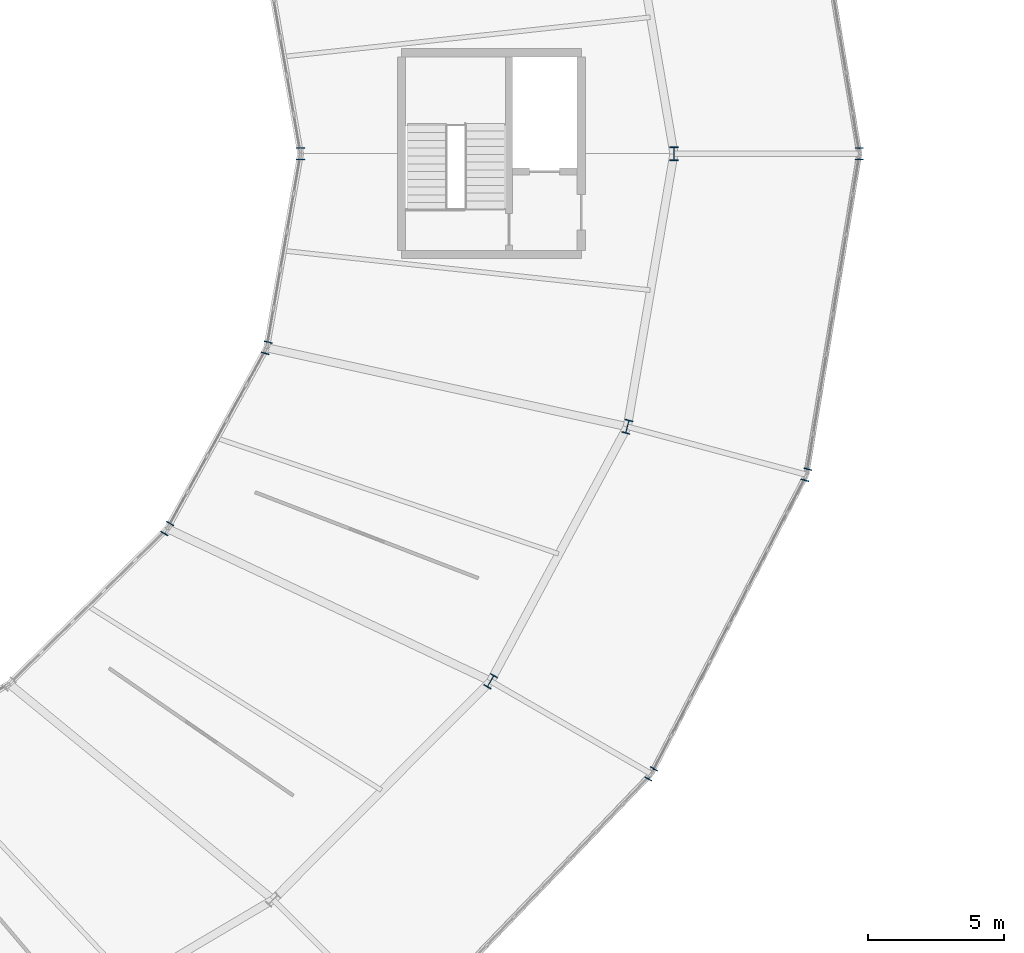
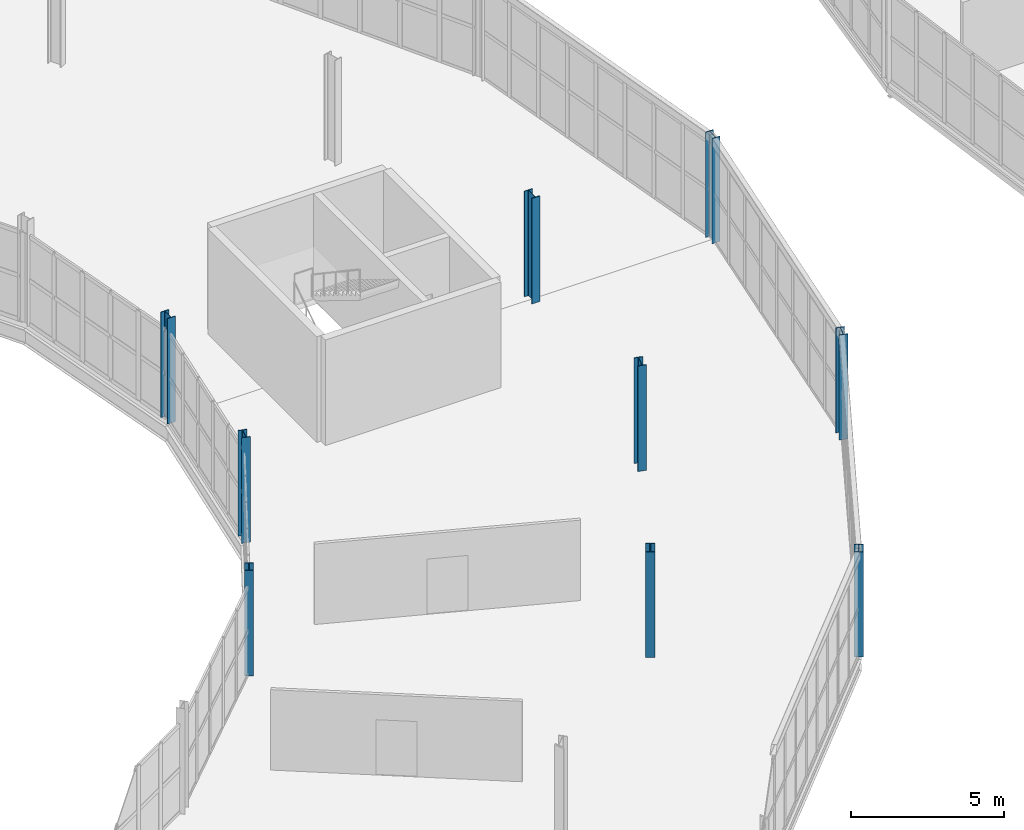
# One storey, part 23 of 161: 9 columns.
"""IFC4 building model written with IfcOpenShell, lengths in metres."""

from ifc_helpers import new_model, si_unit, direction, frame, origin, origin_2d, place, context, subcontext, project, spatial, i_section, extrude, material, material_profile, profile_set, type_object, element, save


model = new_model("IFC4")

# Units and contexts
model_context = context("Model", 3, precision=1e-05, world=origin(), true_north=direction((0.0, 1.0)))
body_context = subcontext(model_context, "Body", "Model", "MODEL_VIEW")
ifc_project = project(units=[si_unit("LENGTHUNIT", "METRE"), si_unit("AREAUNIT", "SQUARE_METRE"), si_unit("VOLUMEUNIT", "CUBIC_METRE"), si_unit("PLANEANGLEUNIT", "RADIAN"), si_unit("MASSUNIT", "GRAM", prefix="KILO")], contexts=[model_context])

# Site, building, storey
site_placement = place(None, origin())
site = spatial("IfcSite", under=ifc_project, at=site_placement, CompositionType="ELEMENT")
building_placement = place(site_placement, origin())
building = spatial("IfcBuilding", under=site, at=building_placement, Name="Kildeholm Park Wholesale Market", CompositionType="ELEMENT")
storey_placement = place(building_placement, frame((0.0, 0.0, 5.39990234375)))
storey = spatial("IfcBuildingStorey", under=building, at=storey_placement, Name="L01", CompositionType="ELEMENT", Elevation=5.39990234375)

# Columns
ifc_material = material(Name="Steel S355", Category="steel")
ifc_material_profile_1 = material_profile(ifc_material, i_section(OverallWidth=0.300048828125, OverallDepth=0.449951171875, WebThickness=0.013916015625, FlangeThickness=0.02587890625, FilletRadius=0.027099609375, at=origin_2d()), Name="HEB 450")
ifc_profile_set_1 = profile_set([ifc_material_profile_1], Name="Steel S355")
column_type_1 = type_object("IfcColumnType", Name="Column C-S06 HEB 450", PredefinedType="COLUMN", material=ifc_profile_set_1)
column_1_placement = place(storey_placement, frame((135.5, 89.5, 0.0), z_axis=(0.0, 0.0, 1.0), x_axis=(1.0, 0.0, 0.0)))
element("IfcColumn", 1, at=column_1_placement, inside=storey, type_object=column_type_1, Name="Column V1-IN-00 L01 COL-0002", PredefinedType="COLUMN", context=body_context, shape_type="SweptSolid", body=[
    extrude(i_section(OverallWidth=0.300048828125, OverallDepth=0.449951171875, WebThickness=0.013916015625, FlangeThickness=0.02587890625, FilletRadius=0.027099609375, at=origin_2d()), origin(), (0.0, 0.0, 1.0), 4.2001953125),
])
column_2_placement = place(storey_placement, frame((156.0, 89.5, 0.0), z_axis=(0.0, 0.0, 1.0), x_axis=(1.0, 0.0, 0.0)))
element("IfcColumn", 2, at=column_2_placement, inside=storey, type_object=column_type_1, Name="Column V1-OT-00 L01 COL-0008", PredefinedType="COLUMN", context=body_context, shape_type="SweptSolid", body=[
    extrude(i_section(OverallWidth=0.300048828125, OverallDepth=0.449951171875, WebThickness=0.013916015625, FlangeThickness=0.02587890625, FilletRadius=0.027099609375, at=origin_2d()), origin(), (0.0, 0.0, 1.0), 4.18017578125),
])
column_3_placement = place(storey_placement, frame((130.610107421875, 75.75, 0.0), z_axis=(0.0, 0.0, 1.0), x_axis=(0.866025403784, -0.5, 0.0)))
element("IfcColumn", 3, at=column_3_placement, inside=storey, type_object=column_type_1, Name="Column V1-IN-22 L01 COL-0200", PredefinedType="COLUMN", context=body_context, shape_type="SweptSolid", body=[
    extrude(i_section(OverallWidth=0.300048828125, OverallDepth=0.449951171875, WebThickness=0.013916015625, FlangeThickness=0.02587890625, FilletRadius=0.027099609375, at=origin_2d()), origin(), (0.0, 0.0, 1.0), 4.2001953125),
])
column_4_placement = place(storey_placement, frame((148.363037109375, 66.75, 0.0), z_axis=(0.0, 0.0, 1.0), x_axis=(0.866025403784, -0.5, 0.0)))
element("IfcColumn", 4, at=column_4_placement, inside=storey, type_object=column_type_1, Name="Column V1-OT-22 L01 COL-0206", PredefinedType="COLUMN", context=body_context, shape_type="SweptSolid", body=[
    extrude(i_section(OverallWidth=0.300048828125, OverallDepth=0.449951171875, WebThickness=0.013916015625, FlangeThickness=0.02587890625, FilletRadius=0.027099609375, at=origin_2d()), origin(), (0.0, 0.0, 1.0), 4.18017578125),
])
column_5_placement = place(storey_placement, frame((134.256103515625, 82.382080078125, 0.0), z_axis=(0.0, 0.0, 1.0), x_axis=(0.965925826289, -0.258819045103, 0.0)))
element("IfcColumn", 5, at=column_5_placement, inside=storey, type_object=column_type_1, Name="Column V1-IN-23 L01 COL-0209", PredefinedType="COLUMN", context=body_context, shape_type="SweptSolid", body=[
    extrude(i_section(OverallWidth=0.300048828125, OverallDepth=0.449951171875, WebThickness=0.013916015625, FlangeThickness=0.02587890625, FilletRadius=0.027099609375, at=origin_2d()), origin(), (0.0, 0.0, 1.0), 4.2001953125),
])
column_6_placement = place(storey_placement, frame((154.05810546875, 77.72412109375, 0.0), z_axis=(0.0, 0.0, 1.0), x_axis=(0.965925826289, -0.258819045103, 0.0)))
element("IfcColumn", 6, at=column_6_placement, inside=storey, type_object=column_type_1, Name="Column V1-OT-23 L01 COL-0215", PredefinedType="COLUMN", context=body_context, shape_type="SweptSolid", body=[
    extrude(i_section(OverallWidth=0.300048828125, OverallDepth=0.449951171875, WebThickness=0.013916015625, FlangeThickness=0.02587890625, FilletRadius=0.027099609375, at=origin_2d()), origin(), (0.0, 0.0, 1.0), 4.18017578125),
])
ifc_material_profile_2 = material_profile(ifc_material, i_section(OverallWidth=0.300048828125, OverallDepth=0.5, WebThickness=0.014404296875, FlangeThickness=0.028076171875, FilletRadius=0.027099609375, at=origin_2d()), Name="HEB 500")
ifc_profile_set_2 = profile_set([ifc_material_profile_2], Name="Steel S355")
column_type_2 = type_object("IfcColumnType", Name="Column C-S07 HEB 500", PredefinedType="COLUMN", material=ifc_profile_set_2)
for number, where, z_axis, x_axis, name in (
    (7, (149.199951171875, 89.5, 0.0), (0.0, 0.0, 1.0), (1.0, 0.0, 0.0), "Column V1-MD-00 L01 COL-0005"),
    (8, (142.47412109375, 70.14990234375, 0.0), (0.0, 0.0, 1.0), (0.866025403784, -0.5, 0.0), "Column V1-MD-22 L01 COL-0203"),
    (9, (147.489013671875, 79.48388671875, 0.0), (0.0, 0.0, 1.0), (0.965925826289, -0.258819045103, 0.0), "Column V1-MD-23 L01 COL-0212"),
):
    element("IfcColumn", number, at=place(storey_placement, frame(where, z_axis=z_axis, x_axis=x_axis)), inside=storey, type_object=column_type_2, Name=name, PredefinedType="COLUMN", context=body_context, shape_type="SweptSolid", body=[
        extrude(i_section(OverallWidth=0.300048828125, OverallDepth=0.5, WebThickness=0.014404296875, FlangeThickness=0.028076171875, FilletRadius=0.027099609375, at=origin_2d()), origin(), (0.0, 0.0, 1.0), 4.2001953125),
    ])

save(model, "model.ifc")
